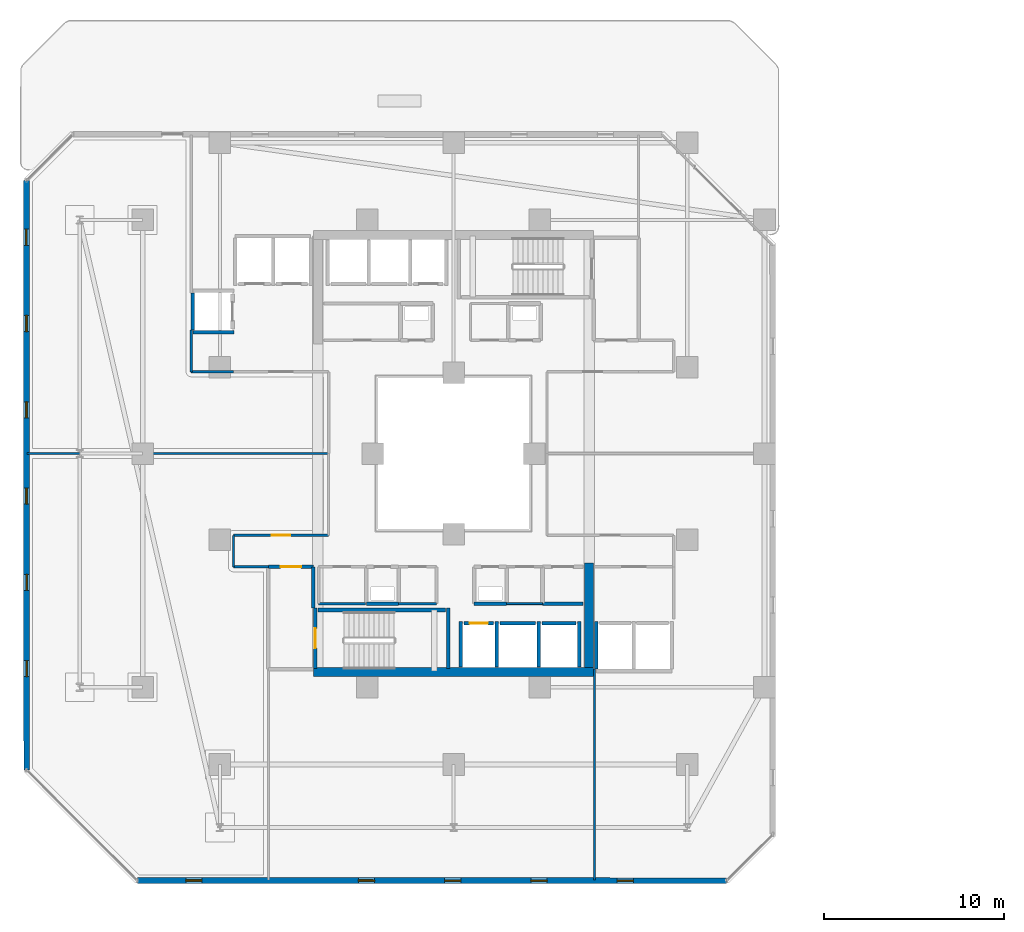
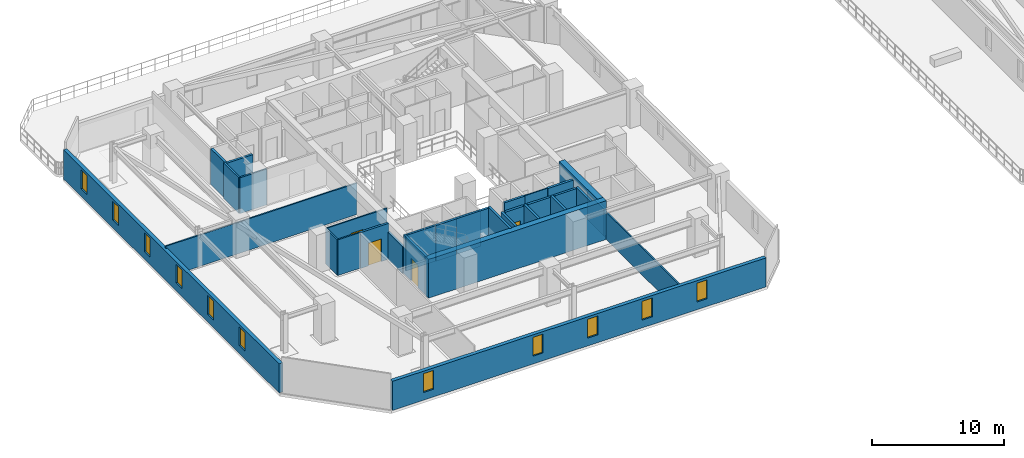
# One storey, part 18 of 31: 32 walls, 11 windows, 4 doors, 15 openings.
"""IFC4 building model written with IfcOpenShell, lengths in metres."""

from ifc_helpers import new_model, si_unit, direction, frame, frame_2d, origin, place, context, subcontext, project, spatial, rectangle, extrude, material, layer, layer_set, type_object, element, fill, save


model = new_model("IFC4")

# Units and contexts
model_context = context("Model", 3, precision=1e-05, world=origin(), true_north=direction((0.0, 1.0)))
body_context = subcontext(model_context, "Body", "Model", "MODEL_VIEW")
ifc_project = project(units=[si_unit("LENGTHUNIT", "METRE"), si_unit("AREAUNIT", "SQUARE_METRE"), si_unit("VOLUMEUNIT", "CUBIC_METRE"), si_unit("PLANEANGLEUNIT", "RADIAN"), si_unit("MASSUNIT", "GRAM", prefix="KILO")], contexts=[model_context])

# Site, building, storey
site_placement = place(None, origin())
site = spatial("IfcSite", under=ifc_project, at=site_placement, CompositionType="ELEMENT")
building_placement = place(site_placement, origin())
building = spatial("IfcBuilding", under=site, at=building_placement, Name="Thornwick Lancets Civic Towers", CompositionType="ELEMENT")
storey_placement = place(building_placement, frame((0.0, 0.0, 119.699951171875)))
storey = spatial("IfcBuildingStorey", under=building, at=storey_placement, Name="L31", CompositionType="ELEMENT", Elevation=119.699951171875)

# Wall, opening, door
ifc_material_1 = material(Name="Concrete blockwork C40/50", Category="masonry")
ifc_layer_1 = layer(ifc_material_1, 0.199951171875, Name="Concrete blockwork C40/50")
ifc_layer_set_1 = layer_set([ifc_layer_1], Name="Concrete blockwork C40/50")
wall_type_1 = type_object("IfcWallType", Name="WALL_COMP_200", PredefinedType="STANDARD", material=ifc_layer_set_1)
wall_1_placement = place(storey_placement, frame((26.080078125, 17.550048828125, 0.0), z_axis=(0.0, 0.0, 1.0), x_axis=(1.0, 0.0, 0.0)))
wall_1 = element("IfcWall", 1, at=wall_1_placement, inside=storey, type_object=wall_type_1, Name="L31 Hoistway Front Wall FL-A1", PredefinedType="STANDARD", context=body_context, shape_type="SweptSolid", body=[
    extrude(rectangle(XDim=1.639892578125, YDim=0.199951171875, at=frame_2d((0.81982421875, 0.0))), origin(), (0.0, 0.0, 1.0), 3.320068359375),
])
opening_1_placement = place(wall_1_placement, frame((0.31005859375, 0.0, 0.0)))
opening_1 = element("IfcOpeningElement", 2, at=opening_1_placement, cuts=wall_1, Name="Opening LD-FL-A1", PredefinedType="OPENING", context=body_context, shape_type="SweptSolid", body=[
    extrude(rectangle(XDim=1.02001953125, YDim=2.06005859375, at=frame_2d((0.510009765625, 1.030029296875))), frame((0.0, 0.10986328125, 0.0), z_axis=(0.0, -1.0, 0.0), x_axis=(1.0, 0.0, 0.0)), (0.0, 0.0, 1.0), 0.219970703125),
])
ifc_material_2 = material(Name="Brushed bronze stainless steel", Category="steel")
door_type_1 = type_object("IfcDoorType", Name="DOOR_LIFT_SLIDE", OperationType="SLIDING_TO_LEFT", PredefinedType="DOOR", material=ifc_material_2)
door_1_placement = place(opening_1_placement, origin())
door_1 = element("IfcDoor", 3, at=door_1_placement, inside=storey, type_object=door_type_1, Name="L31 Sliding Lift Landing Door LD-FL-A1", OperationType="SLIDING_TO_LEFT", OverallHeight=2.06005859375, OverallWidth=1.02001953125, PredefinedType="DOOR", context=body_context, shape_type="SweptSolid", body=[
    extrude(rectangle(XDim=1.02001953125, YDim=2.06005859375, at=frame_2d((0.510009765625, 1.030029296875))), frame((0.0, 0.02490234375, 0.0), z_axis=(0.0, -1.0, 0.0), x_axis=(1.0, 0.0, 0.0)), (0.0, 0.0, 1.0), 0.050048828125),
])
fill(opening_1, door_1)

# Walls
wall_2_placement = place(storey_placement, frame((28.080078125, 17.550048828125, 0.0), z_axis=(0.0, 0.0, 1.0), x_axis=(1.0, 0.0, 0.0)))
element("IfcWall", 4, at=wall_2_placement, inside=storey, type_object=wall_type_1, Name="L31 Hoistway Front Wall PL-AH1", PredefinedType="STANDARD", context=body_context, shape_type="SweptSolid", body=[
    extrude(rectangle(XDim=1.989990234375, YDim=0.199951171875, at=frame_2d((0.9951171875, 0.0))), origin(), (0.0, 0.0, 1.0), 3.320068359375),
])
wall_3_placement = place(storey_placement, frame((30.429931640625, 17.550048828125, 0.0), z_axis=(0.0, 0.0, 1.0), x_axis=(1.0, 0.0, 0.0)))
element("IfcWall", 5, at=wall_3_placement, inside=storey, type_object=wall_type_1, Name="L31 Hoistway Front Wall PL-AL1", PredefinedType="STANDARD", context=body_context, shape_type="SweptSolid", body=[
    extrude(rectangle(XDim=1.89013671875, YDim=0.199951171875, at=frame_2d((0.945068359375, 0.0))), origin(), (0.0, 0.0, 1.0), 3.320068359375),
])
for number, where, z_axis, x_axis, name in (
    (6, (27.89990234375, 15.112060546875, 0.0), (0.0, 0.0, 1.0), (0.0, 1.0, 0.0), "L31 Hoistway Shaft Wall FL-A1 E"),
    (7, (25.89990234375, 15.112060546875, 0.0), (0.0, 0.0, 1.0), (0.0, 1.0, 0.0), "L31 Hoistway Shaft Wall FL-A1 W"),
    (8, (30.25, 15.112060546875, 0.0), (0.0, 0.0, 1.0), (0.0, 1.0, 0.0), "L31 Hoistway Shaft Wall PL-AH1 E"),
    (9, (32.5, 15.112060546875, 0.0), (0.0, 0.0, 1.0), (0.0, 1.0, 0.0), "L31 Hoistway Shaft Wall PL-AL1 E"),
):
    element("IfcWall", number, at=place(storey_placement, frame(where, z_axis=z_axis, x_axis=x_axis)), inside=storey, type_object=wall_type_1, Name=name, PredefinedType="STANDARD", context=body_context, shape_type="SweptSolid", body=[
        extrude(rectangle(XDim=2.535888671875, YDim=0.199951171875, at=frame_2d((1.26806640625, 0.0))), origin(), (0.0, 0.0, 1.0), 3.320068359375),
    ])
wall_4_placement = place(storey_placement, frame((33.449951171875, 15.011962890625, 0.0), z_axis=(0.0, 0.0, 1.0), x_axis=(0.0, 1.0, 0.0)))
element("IfcWall", 10, at=wall_4_placement, inside=storey, type_object=wall_type_1, Name="L31 Hoistway Shaft Wall PL-AL2 W", PredefinedType="STANDARD", context=body_context, shape_type="SweptSolid", body=[
    extrude(rectangle(XDim=2.635986328125, YDim=0.199951171875, at=frame_2d((1.31787109375, 0.0))), origin(), (0.0, 0.0, 1.0), 2.525146484375),
])
wall_5_placement = place(storey_placement, frame((11.001953125, 33.75, 0.0), z_axis=(0.0, 0.0, 1.0), x_axis=(1.0, 0.0, 0.0)))
element("IfcWall", 11, at=wall_5_placement, inside=storey, type_object=wall_type_1, Name="L31 Hoistway Shaft Wall PL-AM3 S", PredefinedType="STANDARD", context=body_context, shape_type="SweptSolid", body=[
    extrude(rectangle(XDim=2.296142578125, YDim=0.199951171875, at=frame_2d((1.14794921875, 0.0))), origin(), (0.0, 0.0, 1.0), 3.320068359375),
])
wall_6_placement = place(storey_placement, frame((11.0, 33.862060546875, 0.0), z_axis=(0.0, 0.0, 1.0), x_axis=(0.0, 1.0, 0.0)))
element("IfcWall", 12, at=wall_6_placement, inside=storey, type_object=wall_type_1, Name="L31 Hoistway Shaft Wall PL-AM3 W", PredefinedType="STANDARD", context=body_context, shape_type="SweptSolid", body=[
    extrude(rectangle(XDim=2.075927734375, YDim=0.199951171875, at=frame_2d((1.0380859375, 0.0))), origin(), (0.0, 0.0, 1.0), 3.320068359375),
])
wall_7_placement = place(storey_placement, frame((17.699951171875, 18.39990234375, 0.0), z_axis=(0.0, 0.0, 1.0), x_axis=(0.0, 1.0, 0.0)))
element("IfcWall", 13, at=wall_7_placement, inside=storey, type_object=wall_type_1, Name="L31 Partition L31-A-FFLOB1 E2", PredefinedType="STANDARD", context=body_context, shape_type="SweptSolid", body=[
    extrude(rectangle(XDim=2.300048828125, YDim=0.199951171875, at=frame_2d((1.14990234375, 0.0))), origin(), (0.0, 0.0, 1.0), 2.525146484375),
])

# Wall, opening, door
wall_8_placement = place(storey_placement, frame((17.699951171875, 20.699951171875, 0.0), z_axis=(0.0, 0.0, 1.0), x_axis=(-1.0, 0.0, 0.0)))
wall_8 = element("IfcWall", 14, at=wall_8_placement, inside=storey, type_object=wall_type_1, Name="L31 Partition L31-A-FFLOB1 E3", PredefinedType="STANDARD", context=body_context, shape_type="SweptSolid", body=[
    extrude(rectangle(XDim=2.5, YDim=0.199951171875, at=frame_2d((1.25, 0.0))), origin(), (0.0, 0.0, 1.0), 3.320068359375),
])
opening_2_placement = place(wall_8_placement, frame((0.675048828125, 0.0, 0.0)))
opening_2 = element("IfcOpeningElement", 15, at=opening_2_placement, cuts=wall_8, Name="Opening D-L31-1419", PredefinedType="OPENING", context=body_context, shape_type="SweptSolid", body=[
    extrude(rectangle(XDim=1.14990234375, YDim=2.10009765625, at=frame_2d((0.574951171875, 1.050048828125))), frame((0.0, 0.10986328125, 0.0), z_axis=(0.0, -1.0, 0.0), x_axis=(1.0, 0.0, 0.0)), (0.0, 0.0, 1.0), 0.219970703125),
])
ifc_material_3 = material(Name="Glazed fire-resisting steel", Category="steel")
door_type_2 = type_object("IfcDoorType", Name="DOOR_LOBBY_FD60", OperationType="NOTDEFINED", PredefinedType="DOOR", material=ifc_material_3)
door_2_placement = place(opening_2_placement, origin())
door_2 = element("IfcDoor", 16, at=door_2_placement, inside=storey, type_object=door_type_2, Name="L31 South Firefighting Lobby 1 Door", OperationType="SINGLE_SWING_RIGHT", OverallHeight=2.10009765625, OverallWidth=1.14990234375, PredefinedType="DOOR", context=body_context, shape_type="SweptSolid", body=[
    extrude(rectangle(XDim=1.14990234375, YDim=2.10009765625, at=frame_2d((0.574951171875, 1.050048828125))), frame((0.0, 0.02490234375, 0.0), z_axis=(0.0, -1.0, 0.0), x_axis=(1.0, 0.0, 0.0)), (0.0, 0.0, 1.0), 0.050048828125),
])
fill(opening_2, door_2)

# Walls
for number, where, z_axis, x_axis, name in (
    (17, (26.64990234375, 18.64990234375, 0.0), (0.0, 0.0, 1.0), (1.0, 0.0, 0.0), "L31 Partition L31-A-DUCT1 E1"),
    (18, (20.64990234375, 18.64990234375, 0.0), (0.0, 0.0, 1.0), (1.0, 0.0, 0.0), "L31 Partition L31-A-RISER1 E1"),
):
    element("IfcWall", number, at=place(storey_placement, frame(where, z_axis=z_axis, x_axis=x_axis)), inside=storey, type_object=wall_type_1, Name=name, PredefinedType="STANDARD", context=body_context, shape_type="SweptSolid", body=[
        extrude(rectangle(XDim=1.800048828125, YDim=0.199951171875, at=frame_2d((0.89990234375, 0.0))), origin(), (0.0, 0.0, 1.0), 3.320068359375),
    ])
wall_9_placement = place(storey_placement, frame((32.699951171875, 18.64990234375, 0.0), z_axis=(0.0, 0.0, 1.0), x_axis=(-1.0, 0.0, 0.0)))
element("IfcWall", 19, at=wall_9_placement, inside=storey, type_object=wall_type_1, Name="L31 Partition L31-A-ITR2 E2", PredefinedType="STANDARD", context=body_context, shape_type="SweptSolid", body=[
    extrude(rectangle(XDim=2.25, YDim=0.199951171875, at=frame_2d((1.125, 0.0))), origin(), (0.0, 0.0, 1.0), 3.320068359375),
])
ifc_material_4 = material(Name="Concrete C50/60", Category="concrete")
ifc_layer_2 = layer(ifc_material_4, 0.5, Name="Concrete C50/60")
ifc_layer_set_2 = layer_set([ifc_layer_2], Name="Concrete C50/60")
wall_type_2 = type_object("IfcWallType", Name="WALL_CORE_500", PredefinedType="SHEAR", material=ifc_layer_set_2)
wall_10_placement = place(storey_placement, frame((17.699951171875, 14.85009765625, 0.0), z_axis=(0.0, 0.0, 1.0), x_axis=(1.0, 0.0, 0.0)))
element("IfcWall", 20, at=wall_10_placement, inside=storey, type_object=wall_type_2, Name="L31 Split Core A1 Shear Wall S", PredefinedType="SHEAR", context=body_context, shape_type="SweptSolid", body=[
    extrude(rectangle(XDim=15.60009765625, YDim=0.5, at=frame_2d((7.800048828125, 0.0))), origin(), (0.0, 0.0, 1.0), 3.60009765625),
])
wall_11_placement = place(storey_placement, frame((33.050048828125, 15.10009765625, 0.0), z_axis=(0.0, 0.0, 1.0), x_axis=(0.0, 1.0, 0.0)))
element("IfcWall", 21, at=wall_11_placement, inside=storey, type_object=wall_type_2, Name="L31 Split Core A1 Shear Wall E", PredefinedType="SHEAR", context=body_context, shape_type="SweptSolid", body=[
    extrude(rectangle(XDim=5.7998046875, YDim=0.5, at=frame_2d((2.89990234375, 0.0))), origin(), (0.0, 0.0, 1.0), 3.60009765625),
])

# Wall, openings, windows
ifc_material_5 = material(Name="Insulated buff terracotta rainscreen on concrete C40/50", Category="masonry")
ifc_layer_3 = layer(ifc_material_5, 0.320068359375, Name="Insulated buff terracotta rainscreen on concrete C40/50")
ifc_layer_set_3 = layer_set([ifc_layer_3], Name="Insulated buff terracotta rainscreen on concrete C40/50")
wall_type_3 = type_object("IfcWallType", Name="WALL_EXT_TERRA_320", PredefinedType="STANDARD", material=ifc_layer_set_3)
wall_12_placement = place(storey_placement, frame((7.903564453125, 3.247314453125, 0.0), z_axis=(0.0, 0.0, 1.0), x_axis=(0.999999933399, -0.000364968916, 0.0)))
wall_12 = element("IfcWall", 22, at=wall_12_placement, inside=storey, type_object=wall_type_3, Name="L31 Tower A Terracotta Facade Wall E0", PredefinedType="STANDARD", context=body_context, shape_type="SweptSolid", body=[
    extrude(rectangle(XDim=32.77783203125, YDim=0.320068359375, at=frame_2d((16.388916015625, 0.0))), origin(), (0.0, 0.0, 1.0), 2.699951171875),
])
opening_3_placement = place(wall_12_placement, frame((2.699951171875, 0.0, 0.719970703125)))
opening_3 = element("IfcOpeningElement", 23, at=opening_3_placement, cuts=wall_12, Name="Opening WL-01", PredefinedType="OPENING", context=body_context, shape_type="SweptSolid", body=[
    extrude(rectangle(XDim=0.89990234375, YDim=1.75, at=frame_2d((0.449951171875, 0.875))), frame((0.0, 0.169921875, 0.0), z_axis=(0.0, -1.0, 0.0), x_axis=(1.0, 0.0, 0.0)), (0.0, 0.0, 1.0), 0.340087890625),
])
opening_4_placement = place(wall_12_placement, frame((12.300048828125, 0.0, 0.719970703125)))
opening_4 = element("IfcOpeningElement", 24, at=opening_4_placement, cuts=wall_12, Name="Opening WL-01", PredefinedType="OPENING", context=body_context, shape_type="SweptSolid", body=[
    extrude(rectangle(XDim=0.89990234375, YDim=1.75, at=frame_2d((0.449951171875, 0.875))), frame((0.0, 0.169921875, 0.0), z_axis=(0.0, -1.0, 0.0), x_axis=(1.0, 0.0, 0.0)), (0.0, 0.0, 1.0), 0.340087890625),
])
opening_5_placement = place(wall_12_placement, frame((17.10009765625, 0.0, 0.719970703125)))
opening_5 = element("IfcOpeningElement", 25, at=opening_5_placement, cuts=wall_12, Name="Opening WL-01", PredefinedType="OPENING", context=body_context, shape_type="SweptSolid", body=[
    extrude(rectangle(XDim=0.89990234375, YDim=1.75, at=frame_2d((0.449951171875, 0.875))), frame((0.0, 0.169921875, 0.0), z_axis=(0.0, -1.0, 0.0), x_axis=(1.0, 0.0, 0.0)), (0.0, 0.0, 1.0), 0.340087890625),
])
opening_6_placement = place(wall_12_placement, frame((21.89990234375, 0.0, 0.719970703125)))
opening_6 = element("IfcOpeningElement", 26, at=opening_6_placement, cuts=wall_12, Name="Opening WL-01", PredefinedType="OPENING", context=body_context, shape_type="SweptSolid", body=[
    extrude(rectangle(XDim=0.89990234375, YDim=1.75, at=frame_2d((0.449951171875, 0.875))), frame((0.0, 0.169921875, 0.0), z_axis=(0.0, -1.0, 0.0), x_axis=(1.0, 0.0, 0.0)), (0.0, 0.0, 1.0), 0.340087890625),
])
opening_7_placement = place(wall_12_placement, frame((26.699951171875, 0.0, 0.719970703125)))
opening_7 = element("IfcOpeningElement", 27, at=opening_7_placement, cuts=wall_12, Name="Opening WL-01", PredefinedType="OPENING", context=body_context, shape_type="SweptSolid", body=[
    extrude(rectangle(XDim=0.89990234375, YDim=1.75, at=frame_2d((0.449951171875, 0.875))), frame((0.0, 0.169921875, 0.0), z_axis=(0.0, -1.0, 0.0), x_axis=(1.0, 0.0, 0.0)), (0.0, 0.0, 1.0), 0.340087890625),
])
ifc_material_6 = material(Name="Clear low-e double glazing in bronze frame", Category="glass")
window_type = type_object("IfcWindowType", Name="WIN_LANCET_900", PartitioningType="SINGLE_PANEL", PredefinedType="WINDOW", material=ifc_material_6)
window_1_placement = place(opening_3_placement, origin())
window_1 = element("IfcWindow", 28, at=window_1_placement, inside=storey, type_object=window_type, Name="L31 Tower A Staggered Lancet Window E0-1", OverallHeight=1.75, OverallWidth=0.89990234375, PartitioningType="SINGLE_PANEL", PredefinedType="WINDOW", context=body_context, shape_type="SweptSolid", body=[
    extrude(rectangle(XDim=0.89990234375, YDim=1.75, at=frame_2d((0.449951171875, 0.875))), frame((0.0, 0.030029296875, 0.0), z_axis=(0.0, -1.0, 0.0), x_axis=(1.0, 0.0, 0.0)), (0.0, 0.0, 1.0), 0.06005859375),
])
fill(opening_3, window_1)
window_2_placement = place(opening_4_placement, origin())
window_2 = element("IfcWindow", 29, at=window_2_placement, inside=storey, type_object=window_type, Name="L31 Tower A Staggered Lancet Window E0-2", OverallHeight=1.75, OverallWidth=0.89990234375, PartitioningType="SINGLE_PANEL", PredefinedType="WINDOW", context=body_context, shape_type="SweptSolid", body=[
    extrude(rectangle(XDim=0.89990234375, YDim=1.75, at=frame_2d((0.449951171875, 0.875))), frame((0.0, 0.030029296875, 0.0), z_axis=(0.0, -1.0, 0.0), x_axis=(1.0, 0.0, 0.0)), (0.0, 0.0, 1.0), 0.06005859375),
])
fill(opening_4, window_2)
window_3_placement = place(opening_5_placement, origin())
window_3 = element("IfcWindow", 30, at=window_3_placement, inside=storey, type_object=window_type, Name="L31 Tower A Staggered Lancet Window E0-3", OverallHeight=1.75, OverallWidth=0.89990234375, PartitioningType="SINGLE_PANEL", PredefinedType="WINDOW", context=body_context, shape_type="SweptSolid", body=[
    extrude(rectangle(XDim=0.89990234375, YDim=1.75, at=frame_2d((0.449951171875, 0.875))), frame((0.0, 0.030029296875, 0.0), z_axis=(0.0, -1.0, 0.0), x_axis=(1.0, 0.0, 0.0)), (0.0, 0.0, 1.0), 0.06005859375),
])
fill(opening_5, window_3)
window_4_placement = place(opening_6_placement, origin())
window_4 = element("IfcWindow", 31, at=window_4_placement, inside=storey, type_object=window_type, Name="L31 Tower A Staggered Lancet Window E0-4", OverallHeight=1.75, OverallWidth=0.89990234375, PartitioningType="SINGLE_PANEL", PredefinedType="WINDOW", context=body_context, shape_type="SweptSolid", body=[
    extrude(rectangle(XDim=0.89990234375, YDim=1.75, at=frame_2d((0.449951171875, 0.875))), frame((0.0, 0.030029296875, 0.0), z_axis=(0.0, -1.0, 0.0), x_axis=(1.0, 0.0, 0.0)), (0.0, 0.0, 1.0), 0.06005859375),
])
fill(opening_6, window_4)
window_5_placement = place(opening_7_placement, origin())
window_5 = element("IfcWindow", 32, at=window_5_placement, inside=storey, type_object=window_type, Name="L31 Tower A Staggered Lancet Window E0-5", OverallHeight=1.75, OverallWidth=0.89990234375, PartitioningType="SINGLE_PANEL", PredefinedType="WINDOW", context=body_context, shape_type="SweptSolid", body=[
    extrude(rectangle(XDim=0.89990234375, YDim=1.75, at=frame_2d((0.449951171875, 0.875))), frame((0.0, 0.030029296875, 0.0), z_axis=(0.0, -1.0, 0.0), x_axis=(1.0, 0.0, 0.0)), (0.0, 0.0, 1.0), 0.06005859375),
])
fill(opening_7, window_5)

wall_13_placement = place(storey_placement, frame((1.7353515625, 42.181396484375, 0.0), z_axis=(0.0, 0.0, 1.0), x_axis=(0.000364968916, -0.999999933399, 0.0)))
wall_13 = element("IfcWall", 33, at=wall_13_placement, inside=storey, type_object=wall_type_3, Name="L31 Tower A Terracotta Facade Wall E6", PredefinedType="STANDARD", context=body_context, shape_type="SweptSolid", body=[
    extrude(rectangle(XDim=32.77783203125, YDim=0.320068359375, at=frame_2d((16.388916015625, 0.0))), origin(), (0.0, 0.0, 1.0), 2.699951171875),
])
opening_8_placement = place(wall_13_placement, frame((2.699951171875, 0.0, 0.719970703125)))
opening_8 = element("IfcOpeningElement", 34, at=opening_8_placement, cuts=wall_13, Name="Opening WL-01", PredefinedType="OPENING", context=body_context, shape_type="SweptSolid", body=[
    extrude(rectangle(XDim=0.89990234375, YDim=1.75, at=frame_2d((0.449951171875, 0.875))), frame((0.0, 0.169921875, 0.0), z_axis=(0.0, -1.0, 0.0), x_axis=(1.0, 0.0, 0.0)), (0.0, 0.0, 1.0), 0.340087890625),
])
opening_9_placement = place(wall_13_placement, frame((7.5, 0.0, 0.719970703125)))
opening_9 = element("IfcOpeningElement", 35, at=opening_9_placement, cuts=wall_13, Name="Opening WL-01", PredefinedType="OPENING", context=body_context, shape_type="SweptSolid", body=[
    extrude(rectangle(XDim=0.89990234375, YDim=1.75, at=frame_2d((0.449951171875, 0.875))), frame((0.0, 0.169921875, 0.0), z_axis=(0.0, -1.0, 0.0), x_axis=(1.0, 0.0, 0.0)), (0.0, 0.0, 1.0), 0.340087890625),
])
opening_10_placement = place(wall_13_placement, frame((12.300048828125, 0.0, 0.719970703125)))
opening_10 = element("IfcOpeningElement", 36, at=opening_10_placement, cuts=wall_13, Name="Opening WL-01", PredefinedType="OPENING", context=body_context, shape_type="SweptSolid", body=[
    extrude(rectangle(XDim=0.89990234375, YDim=1.75, at=frame_2d((0.449951171875, 0.875))), frame((0.0, 0.169921875, 0.0), z_axis=(0.0, -1.0, 0.0), x_axis=(1.0, 0.0, 0.0)), (0.0, 0.0, 1.0), 0.340087890625),
])
opening_11_placement = place(wall_13_placement, frame((17.10009765625, 0.0, 0.719970703125)))
opening_11 = element("IfcOpeningElement", 37, at=opening_11_placement, cuts=wall_13, Name="Opening WL-01", PredefinedType="OPENING", context=body_context, shape_type="SweptSolid", body=[
    extrude(rectangle(XDim=0.89990234375, YDim=1.75, at=frame_2d((0.449951171875, 0.875))), frame((0.0, 0.169921875, 0.0), z_axis=(0.0, -1.0, 0.0), x_axis=(1.0, 0.0, 0.0)), (0.0, 0.0, 1.0), 0.340087890625),
])
opening_12_placement = place(wall_13_placement, frame((21.89990234375, 0.0, 0.719970703125)))
opening_12 = element("IfcOpeningElement", 38, at=opening_12_placement, cuts=wall_13, Name="Opening WL-01", PredefinedType="OPENING", context=body_context, shape_type="SweptSolid", body=[
    extrude(rectangle(XDim=0.89990234375, YDim=1.75, at=frame_2d((0.449951171875, 0.875))), frame((0.0, 0.169921875, 0.0), z_axis=(0.0, -1.0, 0.0), x_axis=(1.0, 0.0, 0.0)), (0.0, 0.0, 1.0), 0.340087890625),
])
opening_13_placement = place(wall_13_placement, frame((26.699951171875, 0.0, 0.719970703125)))
opening_13 = element("IfcOpeningElement", 39, at=opening_13_placement, cuts=wall_13, Name="Opening WL-01", PredefinedType="OPENING", context=body_context, shape_type="SweptSolid", body=[
    extrude(rectangle(XDim=0.89990234375, YDim=1.75, at=frame_2d((0.449951171875, 0.875))), frame((0.0, 0.169921875, 0.0), z_axis=(0.0, -1.0, 0.0), x_axis=(1.0, 0.0, 0.0)), (0.0, 0.0, 1.0), 0.340087890625),
])
window_6_placement = place(opening_8_placement, origin())
window_6 = element("IfcWindow", 40, at=window_6_placement, inside=storey, type_object=window_type, Name="L31 Tower A Staggered Lancet Window E6-1", OverallHeight=1.75, OverallWidth=0.89990234375, PartitioningType="SINGLE_PANEL", PredefinedType="WINDOW", context=body_context, shape_type="SweptSolid", body=[
    extrude(rectangle(XDim=0.89990234375, YDim=1.75, at=frame_2d((0.449951171875, 0.875))), frame((0.0, 0.030029296875, 0.0), z_axis=(0.0, -1.0, 0.0), x_axis=(1.0, 0.0, 0.0)), (0.0, 0.0, 1.0), 0.06005859375),
])
fill(opening_8, window_6)
window_7_placement = place(opening_9_placement, origin())
window_7 = element("IfcWindow", 41, at=window_7_placement, inside=storey, type_object=window_type, Name="L31 Tower A Staggered Lancet Window E6-2", OverallHeight=1.75, OverallWidth=0.89990234375, PartitioningType="SINGLE_PANEL", PredefinedType="WINDOW", context=body_context, shape_type="SweptSolid", body=[
    extrude(rectangle(XDim=0.89990234375, YDim=1.75, at=frame_2d((0.449951171875, 0.875))), frame((0.0, 0.030029296875, 0.0), z_axis=(0.0, -1.0, 0.0), x_axis=(1.0, 0.0, 0.0)), (0.0, 0.0, 1.0), 0.06005859375),
])
fill(opening_9, window_7)
window_8_placement = place(opening_10_placement, origin())
window_8 = element("IfcWindow", 42, at=window_8_placement, inside=storey, type_object=window_type, Name="L31 Tower A Staggered Lancet Window E6-3", OverallHeight=1.75, OverallWidth=0.89990234375, PartitioningType="SINGLE_PANEL", PredefinedType="WINDOW", context=body_context, shape_type="SweptSolid", body=[
    extrude(rectangle(XDim=0.89990234375, YDim=1.75, at=frame_2d((0.449951171875, 0.875))), frame((0.0, 0.030029296875, 0.0), z_axis=(0.0, -1.0, 0.0), x_axis=(1.0, 0.0, 0.0)), (0.0, 0.0, 1.0), 0.06005859375),
])
fill(opening_10, window_8)
window_9_placement = place(opening_11_placement, origin())
window_9 = element("IfcWindow", 43, at=window_9_placement, inside=storey, type_object=window_type, Name="L31 Tower A Staggered Lancet Window E6-4", OverallHeight=1.75, OverallWidth=0.89990234375, PartitioningType="SINGLE_PANEL", PredefinedType="WINDOW", context=body_context, shape_type="SweptSolid", body=[
    extrude(rectangle(XDim=0.89990234375, YDim=1.75, at=frame_2d((0.449951171875, 0.875))), frame((0.0, 0.030029296875, 0.0), z_axis=(0.0, -1.0, 0.0), x_axis=(1.0, 0.0, 0.0)), (0.0, 0.0, 1.0), 0.06005859375),
])
fill(opening_11, window_9)
window_10_placement = place(opening_12_placement, origin())
window_10 = element("IfcWindow", 44, at=window_10_placement, inside=storey, type_object=window_type, Name="L31 Tower A Staggered Lancet Window E6-5", OverallHeight=1.75, OverallWidth=0.89990234375, PartitioningType="SINGLE_PANEL", PredefinedType="WINDOW", context=body_context, shape_type="SweptSolid", body=[
    extrude(rectangle(XDim=0.89990234375, YDim=1.75, at=frame_2d((0.449951171875, 0.875))), frame((0.0, 0.030029296875, 0.0), z_axis=(0.0, -1.0, 0.0), x_axis=(1.0, 0.0, 0.0)), (0.0, 0.0, 1.0), 0.06005859375),
])
fill(opening_12, window_10)
window_11_placement = place(opening_13_placement, origin())
window_11 = element("IfcWindow", 45, at=window_11_placement, inside=storey, type_object=window_type, Name="L31 Tower A Staggered Lancet Window E6-6", OverallHeight=1.75, OverallWidth=0.89990234375, PartitioningType="SINGLE_PANEL", PredefinedType="WINDOW", context=body_context, shape_type="SweptSolid", body=[
    extrude(rectangle(XDim=0.89990234375, YDim=1.75, at=frame_2d((0.449951171875, 0.875))), frame((0.0, 0.030029296875, 0.0), z_axis=(0.0, -1.0, 0.0), x_axis=(1.0, 0.0, 0.0)), (0.0, 0.0, 1.0), 0.06005859375),
])
fill(opening_13, window_11)

# Wall
ifc_material_7 = material(Name="Lightweight cellular office partition")
ifc_layer_4 = layer(ifc_material_7, 0.10009765625, Name="Lightweight cellular office partition")
ifc_layer_set_4 = layer_set([ifc_layer_4], Name="Lightweight cellular office partition")
wall_type_4 = type_object("IfcWallType", Name="WALL_PART_100", PredefinedType="PARTITIONING", material=ifc_layer_set_4)
wall_14_placement = place(storey_placement, frame((30.449951171875, 18.64990234375, 0.0), z_axis=(0.0, 0.0, 1.0), x_axis=(-1.0, 0.0, 0.0)))
element("IfcWall", 46, at=wall_14_placement, inside=storey, type_object=wall_type_4, Name="L31 Partition L31-A-CLN E2", PredefinedType="PARTITIONING", context=body_context, shape_type="SweptSolid", body=[
    extrude(rectangle(XDim=2.0, YDim=0.10009765625, at=frame_2d((1.0, 0.0))), origin(), (0.0, 0.0, 1.0), 3.320068359375),
])

# Wall, opening, door
ifc_material_8 = material(Name="Acoustic gypsum board partition")
ifc_layer_5 = layer(ifc_material_8, 0.1201171875, Name="Acoustic gypsum board partition")
ifc_layer_set_5 = layer_set([ifc_layer_5], Name="Acoustic gypsum board partition")
wall_type_5 = type_object("IfcWallType", Name="WALL_PART_120", PredefinedType="PARTITIONING", material=ifc_layer_set_5)
wall_15_placement = place(storey_placement, frame((18.550048828125, 22.449951171875, 0.0), z_axis=(0.0, 0.0, 1.0), x_axis=(-1.0, 0.0, 0.0)))
wall_15 = element("IfcWall", 47, at=wall_15_placement, inside=storey, type_object=wall_type_5, Name="L31 Partition L31-A-W1 E1", PredefinedType="PARTITIONING", context=body_context, shape_type="SweptSolid", body=[
    extrude(rectangle(XDim=5.300048828125, YDim=0.1201171875, at=frame_2d((2.64990234375, 0.0))), origin(), (0.0, 0.0, 1.0), 3.320068359375),
])
opening_14_placement = place(wall_15_placement, frame((2.125, 0.0, 0.0)))
opening_14 = element("IfcOpeningElement", 48, at=opening_14_placement, cuts=wall_15, Name="Opening D-L31-1444", PredefinedType="OPENING", context=body_context, shape_type="SweptSolid", body=[
    extrude(rectangle(XDim=1.050048828125, YDim=2.10009765625, at=frame_2d((0.52490234375, 1.050048828125))), frame((0.0, 0.070068359375, 0.0), z_axis=(0.0, -1.0, 0.0), x_axis=(1.0, 0.0, 0.0)), (0.0, 0.0, 1.0), 0.14013671875),
])
ifc_material_9 = material(Name="Glazed European oak executive doorset")
door_type_3 = type_object("IfcDoorType", Name="DOOR_OFFICE_1050", OperationType="NOTDEFINED", PredefinedType="DOOR", material=ifc_material_9)
door_3_placement = place(opening_14_placement, origin())
door_3 = element("IfcDoor", 49, at=door_3_placement, inside=storey, type_object=door_type_3, Name="L31 Tower A Ministry Directorate Office W1 Door", OperationType="SINGLE_SWING_LEFT", OverallHeight=2.10009765625, OverallWidth=1.050048828125, PredefinedType="DOOR", context=body_context, shape_type="SweptSolid", body=[
    extrude(rectangle(XDim=1.050048828125, YDim=2.10009765625, at=frame_2d((0.52490234375, 1.050048828125))), frame((0.0, 0.02490234375, 0.0), z_axis=(0.0, -1.0, 0.0), x_axis=(1.0, 0.0, 0.0)), (0.0, 0.0, 1.0), 0.050048828125),
])
fill(opening_14, door_3)

# Walls
wall_16_placement = place(storey_placement, frame((13.25, 22.449951171875, 0.0), z_axis=(0.0, 0.0, 1.0), x_axis=(0.0, -1.0, 0.0)))
element("IfcWall", 50, at=wall_16_placement, inside=storey, type_object=wall_type_5, Name="L31 Partition L31-A-W1 E2", PredefinedType="PARTITIONING", context=body_context, shape_type="SweptSolid", body=[
    extrude(rectangle(XDim=1.75, YDim=0.1201171875, at=frame_2d((0.875, 0.0))), origin(), (0.0, 0.0, 1.0), 3.320068359375),
])
wall_17_placement = place(storey_placement, frame((13.25, 20.699951171875, 0.0), z_axis=(0.0, 0.0, 1.0), x_axis=(1.0, 0.0, 0.0)))
element("IfcWall", 51, at=wall_17_placement, inside=storey, type_object=wall_type_5, Name="L31 Partition L31-A-W1 E3", PredefinedType="PARTITIONING", context=body_context, shape_type="SweptSolid", body=[
    extrude(rectangle(XDim=1.949951171875, YDim=0.1201171875, at=frame_2d((0.97509765625, 0.0))), origin(), (0.0, 0.0, 1.0), 3.320068359375),
])
wall_18_placement = place(storey_placement, frame((1.780029296875, 27.0, 0.0), z_axis=(0.0, 0.0, 1.0), x_axis=(1.0, 0.0, 0.0)))
element("IfcWall", 52, at=wall_18_placement, inside=storey, type_object=wall_type_5, Name="L31 Partition L31-A-W1 E9", PredefinedType="PARTITIONING", context=body_context, shape_type="SweptSolid", body=[
    extrude(rectangle(XDim=16.77001953125, YDim=0.1201171875, at=frame_2d((8.385009765625, 0.0))), origin(), (0.0, 0.0, 1.0), 2.912353515625),
])
wall_19_placement = place(storey_placement, frame((33.35009765625, 3.280029296875, 0.0), z_axis=(0.0, 0.0, 1.0), x_axis=(0.0, 1.0, 0.0)))
element("IfcWall", 53, at=wall_19_placement, inside=storey, type_object=wall_type_5, Name="L31 Partition L31-A-E1 E2", PredefinedType="PARTITIONING", context=body_context, shape_type="SweptSolid", body=[
    extrude(rectangle(XDim=11.73193359375, YDim=0.1201171875, at=frame_2d((5.865966796875, 0.0))), origin(), (0.0, 0.0, 1.0), 2.525146484375),
])
ifc_material_10 = material(Name="Twin-stud acoustic gypsum board")
ifc_layer_6 = layer(ifc_material_10, 0.14990234375, Name="Twin-stud acoustic gypsum board")
ifc_layer_set_6 = layer_set([ifc_layer_6], Name="Twin-stud acoustic gypsum board")
wall_type_6 = type_object("IfcWallType", Name="WALL_PART_150", PredefinedType="PARTITIONING", material=ifc_layer_set_6)
wall_20_placement = place(storey_placement, frame((18.0, 18.64990234375, 0.0), z_axis=(0.0, 0.0, 1.0), x_axis=(1.0, 0.0, 0.0)))
element("IfcWall", 54, at=wall_20_placement, inside=storey, type_object=wall_type_6, Name="L31 Partition L31-A-MWC E1", PredefinedType="PARTITIONING", context=body_context, shape_type="SweptSolid", body=[
    extrude(rectangle(XDim=2.60009765625, YDim=0.14990234375, at=frame_2d((1.300048828125, 0.0))), origin(), (0.0, 0.0, 1.0), 3.320068359375),
])
wall_21_placement = place(storey_placement, frame((24.550048828125, 18.64990234375, 0.0), z_axis=(0.0, 0.0, 1.0), x_axis=(-1.0, 0.0, 0.0)))
element("IfcWall", 55, at=wall_21_placement, inside=storey, type_object=wall_type_6, Name="L31 Partition L31-A-AWC E2", PredefinedType="PARTITIONING", context=body_context, shape_type="SweptSolid", body=[
    extrude(rectangle(XDim=2.10009765625, YDim=0.14990234375, at=frame_2d((1.050048828125, 0.0))), origin(), (0.0, 0.0, 1.0), 3.320068359375),
])
wall_22_placement = place(storey_placement, frame((10.89990234375, 33.862060546875, 0.0), z_axis=(0.0, 0.0, 1.0), x_axis=(0.0, -1.0, 0.0)))
element("IfcWall", 56, at=wall_22_placement, inside=storey, type_object=wall_type_6, Name="L31 Partition L31-A-W2 E7", PredefinedType="PARTITIONING", context=body_context, shape_type="SweptSolid", body=[
    extrude(rectangle(XDim=2.31201171875, YDim=0.14990234375, at=frame_2d((1.156005859375, 0.0))), origin(), (0.0, 0.0, 1.0), 3.320068359375),
])
wall_23_placement = place(storey_placement, frame((10.89990234375, 31.550048828125, 0.0), z_axis=(0.0, 0.0, 1.0), x_axis=(1.0, 0.0, 0.0)))
element("IfcWall", 57, at=wall_23_placement, inside=storey, type_object=wall_type_6, Name="L31 Partition L31-A-W2 E8", PredefinedType="PARTITIONING", context=body_context, shape_type="SweptSolid", body=[
    extrude(rectangle(XDim=2.35009765625, YDim=0.14990234375, at=frame_2d((1.175048828125, 0.0))), origin(), (0.0, 0.0, 1.0), 3.320068359375),
])

# Wall, opening, door
ifc_material_11 = material(Name="Concrete C40/50", Category="concrete")
ifc_layer_7 = layer(ifc_material_11, 0.199951171875, Name="Concrete C40/50")
ifc_layer_set_7 = layer_set([ifc_layer_7], Name="Concrete C40/50")
wall_type_7 = type_object("IfcWallType", Name="WALL_SHAFT_200", PredefinedType="SHEAR", material=ifc_layer_set_7)
wall_24_placement = place(storey_placement, frame((17.800048828125, 15.050048828125, 0.0), z_axis=(0.0, 0.0, 1.0), x_axis=(0.0, 1.0, 0.0)))
wall_24 = element("IfcWall", 58, at=wall_24_placement, inside=storey, type_object=wall_type_7, Name="L31 ST-A1 Fire Stair Core Wall NEAR", PredefinedType="SHEAR", context=body_context, shape_type="SweptSolid", body=[
    extrude(rectangle(XDim=3.349853515625, YDim=0.199951171875, at=frame_2d((1.6748046875, 0.0))), origin(), (0.0, 0.0, 1.0), 3.60009765625),
])
opening_15_placement = place(wall_24_placement, frame((1.125, 0.0, 0.0)))
opening_15 = element("IfcOpeningElement", 59, at=opening_15_placement, cuts=wall_24, Name="Opening D-ST-A1-L31", PredefinedType="OPENING", context=body_context, shape_type="SweptSolid", body=[
    extrude(rectangle(XDim=1.10009765625, YDim=2.10009765625, at=frame_2d((0.550048828125, 1.050048828125))), frame((0.0, 0.10986328125, 0.0), z_axis=(0.0, -1.0, 0.0), x_axis=(1.0, 0.0, 0.0)), (0.0, 0.0, 1.0), 0.219970703125),
])
ifc_material_12 = material(Name="Fire-resisting steel and hardwood", Category="steel")
door_type_4 = type_object("IfcDoorType", Name="DOOR_STAIR_FD60", OperationType="NOTDEFINED", PredefinedType="DOOR", material=ifc_material_12)
door_4_placement = place(opening_15_placement, origin())
door_4 = element("IfcDoor", 60, at=door_4_placement, inside=storey, type_object=door_type_4, Name="L31 ST-A1 Exit Stair Door", OperationType="SINGLE_SWING_RIGHT", OverallHeight=2.10009765625, OverallWidth=1.10009765625, PredefinedType="DOOR", context=body_context, shape_type="SweptSolid", body=[
    extrude(rectangle(XDim=1.10009765625, YDim=2.10009765625, at=frame_2d((0.550048828125, 1.050048828125))), frame((0.0, 0.02490234375, 0.0), z_axis=(0.0, -1.0, 0.0), x_axis=(1.0, 0.0, 0.0)), (0.0, 0.0, 1.0), 0.050048828125),
])
fill(opening_15, door_4)

# Walls
wall_25_placement = place(storey_placement, frame((25.199951171875, 18.39990234375, 0.0), z_axis=(0.0, 0.0, 1.0), x_axis=(0.0, -1.0, 0.0)))
element("IfcWall", 61, at=wall_25_placement, inside=storey, type_object=wall_type_7, Name="L31 ST-A1 Fire Stair Core Wall FAR", PredefinedType="SHEAR", context=body_context, shape_type="SweptSolid", body=[
    extrude(rectangle(XDim=3.349853515625, YDim=0.199951171875, at=frame_2d((1.6748046875, 0.0))), origin(), (0.0, 0.0, 1.0), 3.60009765625),
])
wall_26_placement = place(storey_placement, frame((25.050048828125, 18.297119140625, 0.0), z_axis=(0.0, 0.0, 1.0), x_axis=(-1.0, 0.0, 0.0)))
element("IfcWall", 62, at=wall_26_placement, inside=storey, type_object=wall_type_7, Name="L31 ST-A1 Fire Stair Core Wall RIGHT", PredefinedType="SHEAR", context=body_context, shape_type="SweptSolid", body=[
    extrude(rectangle(XDim=7.10009765625, YDim=0.199951171875, at=frame_2d((3.550048828125, 0.0))), origin(), (0.0, 0.0, 1.0), 3.60009765625),
])

save(model, "model.ifc")
